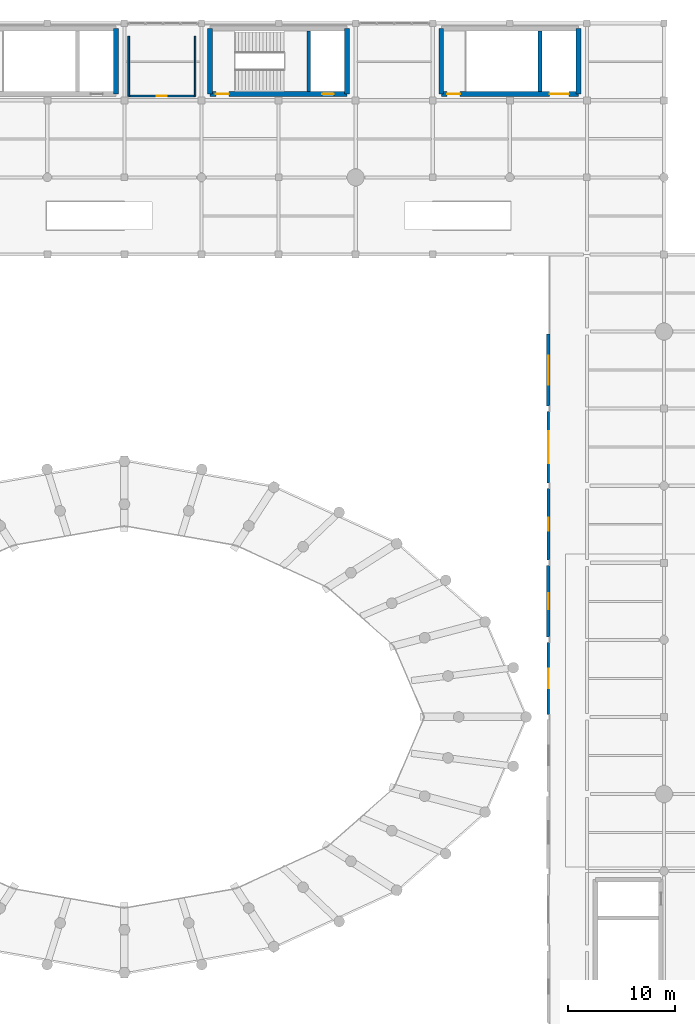
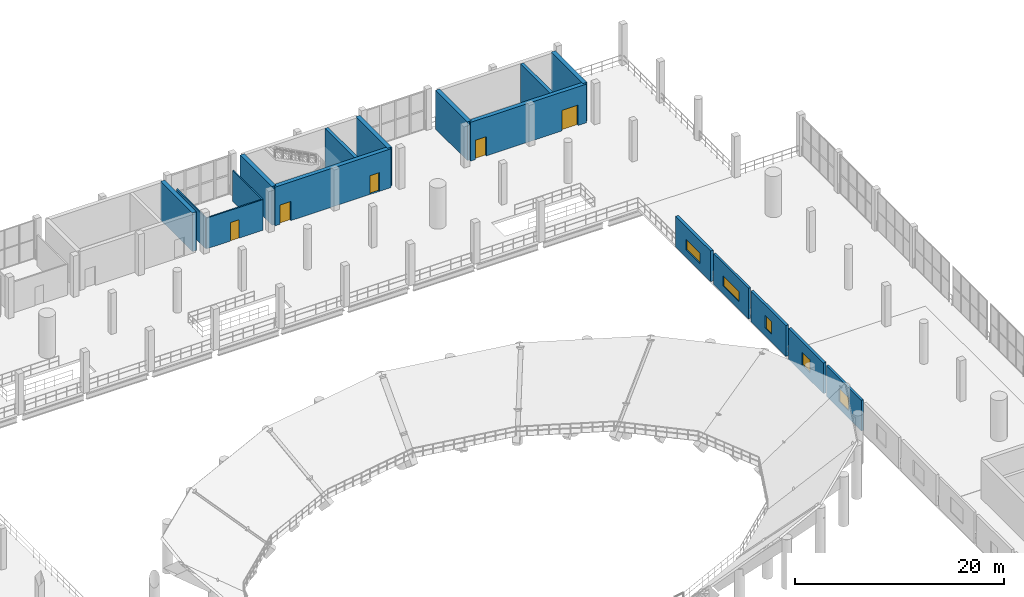
# One storey, part 86 of 105: 17 walls, 5 doors, 5 windows, 10 openings.
"""IFC4 building model written with IfcOpenShell, lengths in metres."""

from ifc_helpers import new_model, si_unit, direction, frame, frame_2d, origin, place, context, subcontext, project, spatial, rectangle, extrude, material, layer, layer_set, type_object, element, fill, save


model = new_model("IFC4")

# Units and contexts
model_context = context("Model", 3, precision=1e-05, world=origin(), true_north=direction((0.0, 1.0)))
body_context = subcontext(model_context, "Body", "Model", "MODEL_VIEW")
ifc_project = project(units=[si_unit("LENGTHUNIT", "METRE"), si_unit("AREAUNIT", "SQUARE_METRE"), si_unit("VOLUMEUNIT", "CUBIC_METRE"), si_unit("PLANEANGLEUNIT", "RADIAN"), si_unit("MASSUNIT", "GRAM", prefix="KILO")], contexts=[model_context])

# Site, building, storey
site_placement = place(None, origin())
site = spatial("IfcSite", under=ifc_project, at=site_placement, CompositionType="ELEMENT")
building_placement = place(site_placement, origin())
building = spatial("IfcBuilding", under=site, at=building_placement, Name="Qandorah Velis Arena", CompositionType="ELEMENT")
storey_placement = place(building_placement, frame((0.0, 0.0, 13.800048828125)))
storey = spatial("IfcBuildingStorey", under=building, at=storey_placement, Name="L03", CompositionType="ELEMENT", Elevation=13.800048828125)

# Wall, opening, window
ifc_material_1 = material(Name="Precast concrete C40/50", Category="concrete")
ifc_layer_1 = layer(ifc_material_1, 0.239990234375)
ifc_layer_set_1 = layer_set([ifc_layer_1], Name="Precast concrete C40/50")
wall_type_1 = type_object("IfcWallType", Name="ARC-WAL-EXT240", PredefinedType="SOLIDWALL", material=ifc_layer_set_1)
wall_1_placement = place(storey_placement, frame((104.39990234375, 65.050048828125, 0.0), z_axis=(0.0, 0.0, 1.0), x_axis=(0.0, 1.0, 0.0)))
wall_1 = element("IfcWall", 1, at=wall_1_placement, inside=storey, type_object=wall_type_1, Name="Precast exterior facade wall L03-24", PredefinedType="SOLIDWALL", context=body_context, shape_type="SweptSolid", body=[
    extrude(rectangle(XDim=6.699951171875, YDim=0.239990234375, at=frame_2d((3.35009765625, 0.0))), origin(), (0.0, 0.0, 1.0), 3.58984375),
])
opening_1_placement = place(wall_1_placement, frame((2.449951171875, 0.0, 0.89990234375)))
opening_1 = element("IfcOpeningElement", 2, at=opening_1_placement, cuts=wall_1, Name="Opening W04", PredefinedType="OPENING", context=body_context, shape_type="SweptSolid", body=[
    extrude(rectangle(XDim=1.800048828125, YDim=1.5, at=frame_2d((0.89990234375, 0.75))), frame((0.0, 0.1298828125, 0.0), z_axis=(0.0, -1.0, 0.0), x_axis=(1.0, 0.0, 0.0)), (0.0, 0.0, 1.0), 0.260009765625),
])
ifc_material_2 = material(Name="Solar-control low-E double glazing", Category="glass")
window_type_1 = type_object("IfcWindowType", Name="ARC-WIN-1800X1500", PartitioningType="DOUBLE_PANEL_VERTICAL", PredefinedType="WINDOW", material=ifc_material_2)
window_1_placement = place(opening_1_placement, origin())
window_1 = element("IfcWindow", 3, at=window_1_placement, inside=storey, type_object=window_type_1, Name="Exterior low-E window L03-024", OverallHeight=1.5, OverallWidth=1.800048828125, PartitioningType="SINGLE_PANEL", PredefinedType="WINDOW", context=body_context, shape_type="SweptSolid", body=[
    extrude(rectangle(XDim=1.800048828125, YDim=1.5, at=frame_2d((0.89990234375, 0.75))), frame((0.0, 0.030029296875, 0.0), z_axis=(0.0, -1.0, 0.0), x_axis=(1.0, 0.0, 0.0)), (0.0, 0.0, 1.0), 0.06005859375),
])
fill(opening_1, window_1)

wall_2_placement = place(storey_placement, frame((104.39990234375, 86.64990234375, 0.0), z_axis=(0.0, 0.0, 1.0), x_axis=(0.0, 1.0, 0.0)))
wall_2 = element("IfcWall", 4, at=wall_2_placement, inside=storey, type_object=wall_type_1, Name="Precast exterior facade wall L03-27", PredefinedType="SOLIDWALL", context=body_context, shape_type="SweptSolid", body=[
    extrude(rectangle(XDim=6.7001953125, YDim=0.239990234375, at=frame_2d((3.35009765625, 0.0))), origin(), (0.0, 0.0, 1.0), 3.58984375),
])
opening_2_placement = place(wall_2_placement, frame((1.85009765625, 0.0, 0.89990234375)))
opening_2 = element("IfcOpeningElement", 5, at=opening_2_placement, cuts=wall_2, Name="Opening W07", PredefinedType="OPENING", context=body_context, shape_type="SweptSolid", body=[
    extrude(rectangle(XDim=3.0, YDim=1.199951171875, at=frame_2d((1.5, 0.60009765625))), frame((0.0, 0.1298828125, 0.0), z_axis=(0.0, -1.0, 0.0), x_axis=(1.0, 0.0, 0.0)), (0.0, 0.0, 1.0), 0.260009765625),
])
window_type_2 = type_object("IfcWindowType", Name="ARC-WIN-3000X1200", PartitioningType="TRIPLE_PANEL_VERTICAL", PredefinedType="WINDOW", material=ifc_material_2)
window_2_placement = place(opening_2_placement, origin())
window_2 = element("IfcWindow", 6, at=window_2_placement, inside=storey, type_object=window_type_2, Name="Exterior low-E window L03-027", OverallHeight=1.199951171875, OverallWidth=3.0, PartitioningType="SINGLE_PANEL", PredefinedType="WINDOW", context=body_context, shape_type="SweptSolid", body=[
    extrude(rectangle(XDim=3.0, YDim=1.199951171875, at=frame_2d((1.5, 0.60009765625))), frame((0.0, 0.030029296875, 0.0), z_axis=(0.0, -1.0, 0.0), x_axis=(1.0, 0.0, 0.0)), (0.0, 0.0, 1.0), 0.06005859375),
])
fill(opening_2, window_2)

ifc_layer_2 = layer(ifc_material_1, 0.2900390625)
ifc_layer_set_2 = layer_set([ifc_layer_2], Name="Precast concrete C40/50")
wall_type_2 = type_object("IfcWallType", Name="ARC-WAL-EXT290", PredefinedType="SOLIDWALL", material=ifc_layer_set_2)
wall_3_placement = place(storey_placement, frame((104.39990234375, 79.449951171875, 0.0), z_axis=(0.0, 0.0, 1.0), x_axis=(0.0, 1.0, 0.0)))
wall_3 = element("IfcWall", 7, at=wall_3_placement, inside=storey, type_object=wall_type_2, Name="Precast exterior facade wall L03-26", PredefinedType="SOLIDWALL", context=body_context, shape_type="SweptSolid", body=[
    extrude(rectangle(XDim=6.699951171875, YDim=0.2900390625, at=frame_2d((3.35009765625, 0.0))), origin(), (0.0, 0.0, 1.0), 3.58984375),
])
opening_3_placement = place(wall_3_placement, frame((2.75, 0.0, 0.89990234375)))
opening_3 = element("IfcOpeningElement", 8, at=opening_3_placement, cuts=wall_3, Name="Opening W06", PredefinedType="OPENING", context=body_context, shape_type="SweptSolid", body=[
    extrude(rectangle(XDim=1.199951171875, YDim=1.5, at=frame_2d((0.60009765625, 0.75))), frame((0.0, 0.155029296875, 0.0), z_axis=(0.0, -1.0, 0.0), x_axis=(1.0, 0.0, 0.0)), (0.0, 0.0, 1.0), 0.31005859375),
])
window_type_3 = type_object("IfcWindowType", Name="ARC-WIN-1200X1500", PartitioningType="SINGLE_PANEL", PredefinedType="WINDOW", material=ifc_material_2)
window_3_placement = place(opening_3_placement, origin())
window_3 = element("IfcWindow", 9, at=window_3_placement, inside=storey, type_object=window_type_3, Name="Exterior low-E window L03-026", OverallHeight=1.5, OverallWidth=1.199951171875, PartitioningType="SINGLE_PANEL", PredefinedType="WINDOW", context=body_context, shape_type="SweptSolid", body=[
    extrude(rectangle(XDim=1.199951171875, YDim=1.5, at=frame_2d((0.60009765625, 0.75))), frame((0.0, 0.030029296875, 0.0), z_axis=(0.0, -1.0, 0.0), x_axis=(1.0, 0.0, 0.0)), (0.0, 0.0, 1.0), 0.06005859375),
])
fill(opening_3, window_3)

ifc_layer_3 = layer(ifc_material_1, 0.31005859375)
ifc_layer_set_3 = layer_set([ifc_layer_3], Name="Precast concrete C40/50")
wall_type_3 = type_object("IfcWallType", Name="ARC-WAL-EXT310", PredefinedType="SOLIDWALL", material=ifc_layer_set_3)
wall_4_placement = place(storey_placement, frame((104.39990234375, 72.25, 0.0), z_axis=(0.0, 0.0, 1.0), x_axis=(0.0, 1.0, 0.0)))
wall_4 = element("IfcWall", 10, at=wall_4_placement, inside=storey, type_object=wall_type_3, Name="Precast exterior facade wall L03-25", PredefinedType="SOLIDWALL", context=body_context, shape_type="SweptSolid", body=[
    extrude(rectangle(XDim=6.699951171875, YDim=0.31005859375, at=frame_2d((3.35009765625, 0.0))), origin(), (0.0, 0.0, 1.0), 3.58984375),
])
opening_4_placement = place(wall_4_placement, frame((2.60009765625, 0.0, 0.89990234375)))
opening_4 = element("IfcOpeningElement", 11, at=opening_4_placement, cuts=wall_4, Name="Opening W05", PredefinedType="OPENING", context=body_context, shape_type="SweptSolid", body=[
    extrude(rectangle(XDim=1.5, YDim=1.5, at=frame_2d((0.75, 0.75))), frame((0.0, 0.1650390625, 0.0), z_axis=(0.0, -1.0, 0.0), x_axis=(1.0, 0.0, 0.0)), (0.0, 0.0, 1.0), 0.330078125),
])
window_type_4 = type_object("IfcWindowType", Name="ARC-WIN-1500X1500", PartitioningType="SINGLE_PANEL", PredefinedType="WINDOW", material=ifc_material_2)
window_4_placement = place(opening_4_placement, origin())
window_4 = element("IfcWindow", 12, at=window_4_placement, inside=storey, type_object=window_type_4, Name="Exterior low-E window L03-025", OverallHeight=1.5, OverallWidth=1.5, PartitioningType="SINGLE_PANEL", PredefinedType="WINDOW", context=body_context, shape_type="SweptSolid", body=[
    extrude(rectangle(XDim=1.5, YDim=1.5, at=frame_2d((0.75, 0.75))), frame((0.0, 0.030029296875, 0.0), z_axis=(0.0, -1.0, 0.0), x_axis=(1.0, 0.0, 0.0)), (0.0, 0.0, 1.0), 0.06005859375),
])
fill(opening_4, window_4)

wall_5_placement = place(storey_placement, frame((104.39990234375, 93.85009765625, 0.0), z_axis=(0.0, 0.0, 1.0), x_axis=(0.0, 1.0, 0.0)))
wall_5 = element("IfcWall", 13, at=wall_5_placement, inside=storey, type_object=wall_type_3, Name="Precast exterior facade wall L03-28", PredefinedType="SOLIDWALL", context=body_context, shape_type="SweptSolid", body=[
    extrude(rectangle(XDim=6.699951171875, YDim=0.31005859375, at=frame_2d((3.35009765625, 0.0))), origin(), (0.0, 0.0, 1.0), 3.58984375),
])
opening_5_placement = place(wall_5_placement, frame((2.0, 0.0, 0.89990234375)))
opening_5 = element("IfcOpeningElement", 14, at=opening_5_placement, cuts=wall_5, Name="Opening W08", PredefinedType="OPENING", context=body_context, shape_type="SweptSolid", body=[
    extrude(rectangle(XDim=2.699951171875, YDim=1.199951171875, at=frame_2d((1.35009765625, 0.60009765625))), frame((0.0, 0.1650390625, 0.0), z_axis=(0.0, -1.0, 0.0), x_axis=(1.0, 0.0, 0.0)), (0.0, 0.0, 1.0), 0.330078125),
])
window_type_5 = type_object("IfcWindowType", Name="ARC-WIN-2700X1200", PartitioningType="TRIPLE_PANEL_VERTICAL", PredefinedType="WINDOW", material=ifc_material_2)
window_5_placement = place(opening_5_placement, origin())
window_5 = element("IfcWindow", 15, at=window_5_placement, inside=storey, type_object=window_type_5, Name="Exterior low-E window L03-028", OverallHeight=1.199951171875, OverallWidth=2.699951171875, PartitioningType="SINGLE_PANEL", PredefinedType="WINDOW", context=body_context, shape_type="SweptSolid", body=[
    extrude(rectangle(XDim=2.699951171875, YDim=1.199951171875, at=frame_2d((1.35009765625, 0.60009765625))), frame((0.0, 0.030029296875, 0.0), z_axis=(0.0, -1.0, 0.0), x_axis=(1.0, 0.0, 0.0)), (0.0, 0.0, 1.0), 0.06005859375),
])
fill(opening_5, window_5)

# Wall, opening, door
ifc_material_3 = material(Name="Concrete C35/45", Category="concrete")
ifc_layer_4 = layer(ifc_material_3, 0.14990234375)
ifc_layer_set_4 = layer_set([ifc_layer_4], Name="Concrete C35/45")
wall_type_4 = type_object("IfcWallType", Name="ARC-WAL-PART150", PredefinedType="PARTITIONING", material=ifc_layer_set_4)
wall_6_placement = place(storey_placement, frame((65.199951171875, 122.800048828125, 0.0), z_axis=(0.0, 0.0, 1.0), x_axis=(1.0, 0.0, 0.0)))
wall_6 = element("IfcWall", 16, at=wall_6_placement, inside=storey, type_object=wall_type_4, Name="Interior partition L03-L03-FWC (S)", PredefinedType="PARTITIONING", context=body_context, shape_type="SweptSolid", body=[
    extrude(rectangle(XDim=6.199951171875, YDim=0.14990234375, at=frame_2d((3.10009765625, 0.0))), origin(), (0.0, 0.0, 1.0), 3.58984375),
])
opening_6_placement = place(wall_6_placement, frame((2.625, 0.0, 0.0)))
opening_6 = element("IfcOpeningElement", 17, at=opening_6_placement, cuts=wall_6, Name="Opening D4", PredefinedType="OPENING", context=body_context, shape_type="SweptSolid", body=[
    extrude(rectangle(XDim=0.949951171875, YDim=2.14990234375, at=frame_2d((0.47509765625, 1.074951171875))), frame((0.0, 0.0849609375, 0.0), z_axis=(0.0, -1.0, 0.0), x_axis=(1.0, 0.0, 0.0)), (0.0, 0.0, 1.0), 0.169921875),
])
ifc_material_4 = material(Name="Moisture-resistant laminate door")
door_type_1 = type_object("IfcDoorType", Name="ARC-DR-WC950", OperationType="NOTDEFINED", PredefinedType="DOOR", material=ifc_material_4)
door_1_placement = place(opening_6_placement, frame((0.949951171875, 0.0, 0.0), z_axis=(0.0, 0.0, 1.0), x_axis=(-1.0, 0.0, 0.0)))
door_1 = element("IfcDoor", 18, at=door_1_placement, inside=storey, type_object=door_type_1, Name="Door L03-L03-FWC", OperationType="SINGLE_SWING_RIGHT", OverallHeight=2.14990234375, OverallWidth=0.949951171875, PredefinedType="DOOR", context=body_context, shape_type="SweptSolid", body=[
    extrude(rectangle(XDim=0.949951171875, YDim=2.14990234375, at=frame_2d((0.47509765625, 1.074951171875))), frame((0.0, 0.02490234375, 0.0), z_axis=(0.0, -1.0, 0.0), x_axis=(1.0, 0.0, 0.0)), (0.0, 0.0, 1.0), 0.050048828125),
])
fill(opening_6, door_1)

# Walls
for number, where, z_axis, x_axis, name in (
    (19, (71.39990234375, 122.800048828125, 0.0), (0.0, 0.0, 1.0), (0.0, 1.0, 0.0), "Interior partition L03-L03-FWC (E)"),
    (20, (65.199951171875, 128.39990234375, 0.0), (0.0, 0.0, 1.0), (0.0, -1.0, 0.0), "Interior partition L03-L03-FWC (W)"),
):
    element("IfcWall", number, at=place(storey_placement, frame(where, z_axis=z_axis, x_axis=x_axis)), inside=storey, type_object=wall_type_4, Name=name, PredefinedType="PARTITIONING", context=body_context, shape_type="SweptSolid", body=[
        extrude(rectangle(XDim=5.599853515625, YDim=0.14990234375, at=frame_2d((2.7998046875, 0.0))), origin(), (0.0, 0.0, 1.0), 3.58984375),
    ])

# Wall, openings, doors
ifc_material_5 = material(Name="Concrete C40/50", Category="concrete")
ifc_layer_5 = layer(ifc_material_5, 0.449951171875)
ifc_layer_set_5 = layer_set([ifc_layer_5], Name="Concrete C40/50")
wall_type_5 = type_object("IfcWallType", Name="STR-WAL-CORE450", PredefinedType="SHEAR", material=ifc_layer_set_5)
wall_7_placement = place(storey_placement, frame((72.800048828125, 123.0, 0.0), z_axis=(0.0, 0.0, 1.0), x_axis=(1.0, 0.0, 0.0)))
wall_7 = element("IfcWall", 21, at=wall_7_placement, inside=storey, type_object=wall_type_5, Name="Core CORE-04 shear wall S (L03)", PredefinedType="SHEAR", context=body_context, shape_type="SweptSolid", body=[
    extrude(rectangle(XDim=12.800048828125, YDim=0.449951171875, at=frame_2d((6.39990234375, 0.0))), origin(), (0.0, 0.0, 1.0), 4.530029296875),
])
opening_7_placement = place(wall_7_placement, frame((0.550048828125, 0.0, 0.0)))
opening_7 = element("IfcOpeningElement", 22, at=opening_7_placement, cuts=wall_7, Name="Opening SD1", PredefinedType="OPENING", context=body_context, shape_type="SweptSolid", body=[
    extrude(rectangle(XDim=1.199951171875, YDim=2.25, at=frame_2d((0.60009765625, 1.125))), frame((0.0, 0.23486328125, 0.0), z_axis=(0.0, -1.0, 0.0), x_axis=(1.0, 0.0, 0.0)), (0.0, 0.0, 1.0), 0.469970703125),
])
opening_8_placement = place(wall_7_placement, frame((10.4580078125, 0.0, 0.0)))
opening_8 = element("IfcOpeningElement", 23, at=opening_8_placement, cuts=wall_7, Name="Opening LD1", PredefinedType="OPENING", context=body_context, shape_type="SweptSolid", body=[
    extrude(rectangle(XDim=1.10009765625, YDim=2.199951171875, at=frame_2d((0.550048828125, 1.10009765625))), frame((0.0, 0.23486328125, 0.0), z_axis=(0.0, -1.0, 0.0), x_axis=(1.0, 0.0, 0.0)), (0.0, 0.0, 1.0), 0.469970703125),
])
ifc_material_6 = material(Name="Stainless steel sliding lift landing door", Category="steel")
door_type_2 = type_object("IfcDoorType", Name="ARC-DR-LD1100", OperationType="NOTDEFINED", PredefinedType="DOOR", material=ifc_material_6)
door_2_placement = place(opening_8_placement, origin())
door_2 = element("IfcDoor", 24, at=door_2_placement, inside=storey, type_object=door_type_2, Name="Lift PL2 sliding landing door (L03)", OperationType="SLIDING_TO_LEFT", OverallHeight=2.199951171875, OverallWidth=1.10009765625, PredefinedType="DOOR", context=body_context, shape_type="SweptSolid", body=[
    extrude(rectangle(XDim=1.10009765625, YDim=2.199951171875, at=frame_2d((0.550048828125, 1.10009765625))), frame((0.0, 0.02490234375, 0.0), z_axis=(0.0, -1.0, 0.0), x_axis=(1.0, 0.0, 0.0)), (0.0, 0.0, 1.0), 0.050048828125),
])
fill(opening_8, door_2)
ifc_material_7 = material(Name="Self-closing fire-rated stair steel door", Category="steel")
door_type_3 = type_object("IfcDoorType", Name="ARC-DR-ST1200", OperationType="NOTDEFINED", PredefinedType="DOOR", material=ifc_material_7)
door_3_placement = place(opening_7_placement, origin())
door_3 = element("IfcDoor", 25, at=door_3_placement, inside=storey, type_object=door_type_3, Name="Stair ST4 fire door (L03)", OperationType="SINGLE_SWING_LEFT", OverallHeight=2.25, OverallWidth=1.199951171875, PredefinedType="DOOR", context=body_context, shape_type="SweptSolid", body=[
    extrude(rectangle(XDim=1.199951171875, YDim=2.25, at=frame_2d((0.60009765625, 1.125))), frame((0.0, 0.02490234375, 0.0), z_axis=(0.0, -1.0, 0.0), x_axis=(1.0, 0.0, 0.0)), (0.0, 0.0, 1.0), 0.050048828125),
])
fill(opening_7, door_3)

# Walls
for number, where, z_axis, x_axis, name in (
    (26, (72.800048828125, 123.0, 0.0), (0.0, 0.0, 1.0), (0.0, 1.0, 0.0), "Core CORE-04 shear wall W (L03)"),
    (27, (85.60009765625, 123.0, 0.0), (0.0, 0.0, 1.0), (0.0, 1.0, 0.0), "Core CORE-04 shear wall E (L03)"),
    (28, (64.0, 123.0, 0.0), (0.0, 0.0, 1.0), (0.0, 1.0, 0.0), "Core CORE-10 shear wall E (L03)"),
):
    element("IfcWall", number, at=place(storey_placement, frame(where, z_axis=z_axis, x_axis=x_axis)), inside=storey, type_object=wall_type_5, Name=name, PredefinedType="SHEAR", context=body_context, shape_type="SweptSolid", body=[
        extrude(rectangle(XDim=6.10009765625, YDim=0.449951171875, at=frame_2d((3.050048828125, 0.0))), origin(), (0.0, 0.0, 1.0), 4.530029296875),
    ])

# Wall, openings, doors
wall_8_placement = place(storey_placement, frame((94.39990234375, 123.0, 0.0), z_axis=(0.0, 0.0, 1.0), x_axis=(1.0, 0.0, 0.0)))
wall_8 = element("IfcWall", 29, at=wall_8_placement, inside=storey, type_object=wall_type_5, Name="Core CORE-12 shear wall S (L03)", PredefinedType="SHEAR", context=body_context, shape_type="SweptSolid", body=[
    extrude(rectangle(XDim=12.800048828125, YDim=0.449951171875, at=frame_2d((6.39990234375, 0.0))), origin(), (0.0, 0.0, 1.0), 4.530029296875),
])
opening_9_placement = place(wall_8_placement, frame((0.550048828125, 0.0, 0.0)))
opening_9 = element("IfcOpeningElement", 30, at=opening_9_placement, cuts=wall_8, Name="Opening SD1", PredefinedType="OPENING", context=body_context, shape_type="SweptSolid", body=[
    extrude(rectangle(XDim=1.199951171875, YDim=2.25, at=frame_2d((0.60009765625, 1.125))), frame((0.0, 0.23486328125, 0.0), z_axis=(0.0, -1.0, 0.0), x_axis=(1.0, 0.0, 0.0)), (0.0, 0.0, 1.0), 0.469970703125),
])
opening_10_placement = place(wall_8_placement, frame((10.10791015625, 0.0, 0.0)))
opening_10 = element("IfcOpeningElement", 31, at=opening_10_placement, cuts=wall_8, Name="Opening LD3", PredefinedType="OPENING", context=body_context, shape_type="SweptSolid", body=[
    extrude(rectangle(XDim=1.800048828125, YDim=2.39990234375, at=frame_2d((0.89990234375, 1.199951171875))), frame((0.0, 0.23486328125, 0.0), z_axis=(0.0, -1.0, 0.0), x_axis=(1.0, 0.0, 0.0)), (0.0, 0.0, 1.0), 0.469970703125),
])
ifc_material_8 = material(Name="Goods stainless bi-parting lift landing door", Category="steel")
door_type_4 = type_object("IfcDoorType", Name="ARC-DR-LD1800", OperationType="NOTDEFINED", PredefinedType="DOOR", material=ifc_material_8)
door_4_placement = place(opening_10_placement, origin())
door_4 = element("IfcDoor", 32, at=door_4_placement, inside=storey, type_object=door_type_4, Name="Lift GL2 sliding landing door (L03)", OperationType="SLIDING_TO_RIGHT", OverallHeight=2.39990234375, OverallWidth=1.800048828125, PredefinedType="DOOR", context=body_context, shape_type="SweptSolid", body=[
    extrude(rectangle(XDim=1.800048828125, YDim=2.39990234375, at=frame_2d((0.89990234375, 1.199951171875))), frame((0.0, 0.02490234375, 0.0), z_axis=(0.0, -1.0, 0.0), x_axis=(1.0, 0.0, 0.0)), (0.0, 0.0, 1.0), 0.050048828125),
])
fill(opening_10, door_4)
door_5_placement = place(opening_9_placement, origin())
door_5 = element("IfcDoor", 33, at=door_5_placement, inside=storey, type_object=door_type_3, Name="Stair ST12 fire door (L03)", OperationType="SINGLE_SWING_LEFT", OverallHeight=2.25, OverallWidth=1.199951171875, PredefinedType="DOOR", context=body_context, shape_type="SweptSolid", body=[
    extrude(rectangle(XDim=1.199951171875, YDim=2.25, at=frame_2d((0.60009765625, 1.125))), frame((0.0, 0.02490234375, 0.0), z_axis=(0.0, -1.0, 0.0), x_axis=(1.0, 0.0, 0.0)), (0.0, 0.0, 1.0), 0.050048828125),
])
fill(opening_9, door_5)

# Walls
for number, where, z_axis, x_axis, name in (
    (34, (94.39990234375, 123.0, 0.0), (0.0, 0.0, 1.0), (0.0, 1.0, 0.0), "Core CORE-12 shear wall W (L03)"),
    (35, (107.199951171875, 123.0, 0.0), (0.0, 0.0, 1.0), (0.0, 1.0, 0.0), "Core CORE-12 shear wall E (L03)"),
):
    element("IfcWall", number, at=place(storey_placement, frame(where, z_axis=z_axis, x_axis=x_axis)), inside=storey, type_object=wall_type_5, Name=name, PredefinedType="SHEAR", context=body_context, shape_type="SweptSolid", body=[
        extrude(rectangle(XDim=6.10009765625, YDim=0.449951171875, at=frame_2d((3.050048828125, 0.0))), origin(), (0.0, 0.0, 1.0), 4.530029296875),
    ])
ifc_layer_6 = layer(ifc_material_5, 0.35009765625)
ifc_layer_set_6 = layer_set([ifc_layer_6], Name="Concrete C40/50")
wall_type_6 = type_object("IfcWallType", Name="STR-WAL-SH350", PredefinedType="SHEAR", material=ifc_layer_set_6)
for number, where, z_axis, x_axis, name in (
    (36, (82.01611328125, 123.22509765625, 0.0), (0.0, 0.0, 1.0), (0.0, 1.0, 0.0), "Core CORE-04 shaft divider shear wall (L03)"),
    (37, (103.615966796875, 123.22509765625, 0.0), (0.0, 0.0, 1.0), (0.0, 1.0, 0.0), "Core CORE-12 shaft divider shear wall (L03)"),
):
    element("IfcWall", number, at=place(storey_placement, frame(where, z_axis=z_axis, x_axis=x_axis)), inside=storey, type_object=wall_type_6, Name=name, PredefinedType="SHEAR", context=body_context, shape_type="SweptSolid", body=[
        extrude(rectangle(XDim=5.64990234375, YDim=0.35009765625, at=frame_2d((2.824951171875, 0.0))), origin(), (0.0, 0.0, 1.0), 4.530029296875),
    ])

save(model, "model.ifc")
